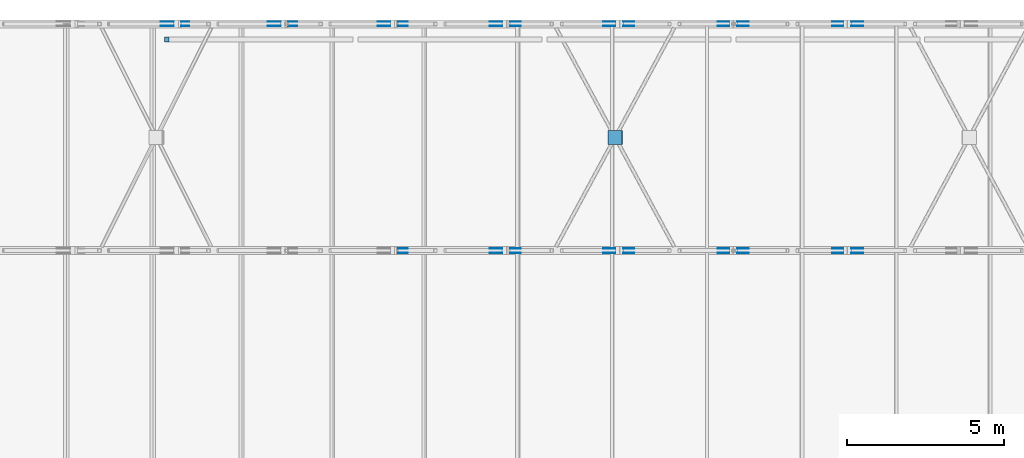
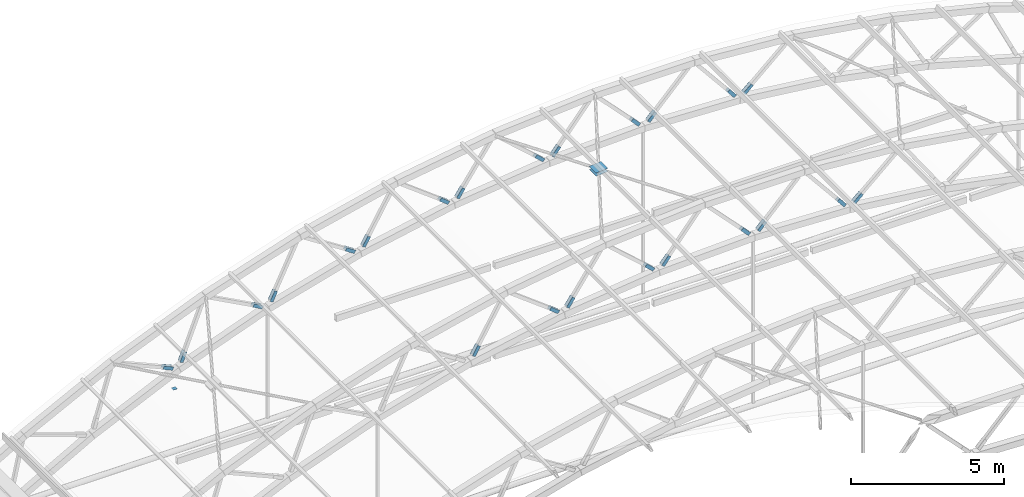
# One storey, part 91 of 127: 49 discrete accessories.
"""IFC4 building model written with IfcOpenShell, lengths in metres."""

from ifc_helpers import new_model, si_unit, direction, frame, origin, origin_2d, place, context, subcontext, project, spatial, rectangle, extrude, material, material_profile, profile_set, type_object, element, save


model = new_model("IFC4")

# Units and contexts
model_context = context("Model", 3, precision=1e-05, world=origin(), true_north=direction((0.0, 1.0)))
body_context = subcontext(model_context, "Body", "Model", "MODEL_VIEW")
ifc_project = project(units=[si_unit("LENGTHUNIT", "METRE"), si_unit("AREAUNIT", "SQUARE_METRE"), si_unit("VOLUMEUNIT", "CUBIC_METRE"), si_unit("PLANEANGLEUNIT", "RADIAN"), si_unit("MASSUNIT", "GRAM", prefix="KILO")], contexts=[model_context])

# Site, building, storey
site_placement = place(None, origin())
site = spatial("IfcSite", under=ifc_project, at=site_placement, CompositionType="ELEMENT")
building_placement = place(site_placement, origin())
building = spatial("IfcBuilding", under=site, at=building_placement, Name="Verrick Yard Athletic Hall", CompositionType="ELEMENT")
storey_placement = place(building_placement, frame((0.0, 0.0, 14.0)))
storey = spatial("IfcBuildingStorey", under=building, at=storey_placement, Name="L03", CompositionType="ELEMENT", Elevation=14.0)

# Discrete accessories
ifc_material = material(Name="Structural steel 350W (CSA G40.21)", Category="steel")
ifc_material_profile_1 = material_profile(ifc_material, rectangle(XDim=0.39990234375, YDim=0.126953125, at=origin_2d()), Name="Brace end cheek plate")
ifc_profile_set_1 = profile_set([ifc_material_profile_1], Name="Structural steel 350W (CSA G40.21)")
discrete_accessory_type_1 = type_object("IfcDiscreteAccessoryType", Name="Brace end cheek plate 400x127x12", PredefinedType="BRACKET", material=ifc_profile_set_1)
for number, where, z_axis, x_axis, name in (
    (1, (41.505126953125, 100.863525390625, 5.877685546875), (0.0, 1.0, 0.0), (0.504596608522, 0.0, 0.863355235502), "Truss web end plate TB5-9 1"),
    (2, (41.505126953125, 100.736572265625, 5.877685546875), (0.0, -1.0, 0.0), (0.504596608522, 0.0, 0.863355235502), "Truss web end plate TB5-9 2"),
    (3, (44.458251953125, 100.736572265625, 6.464111328125), (0.0, -1.0, 0.0), (-0.796193473644, 0.0, 0.605042108061), "Truss web end plate TB5-10 1"),
    (4, (44.458251953125, 100.863525390625, 6.464111328125), (0.0, 1.0, 0.0), (-0.796193473644, 0.0, 0.605042108061), "Truss web end plate TB5-10 2"),
    (5, (45.07177734375, 100.863525390625, 6.56103515625), (0.0, 1.0, 0.0), (0.570674326681, 0.0, 0.821176480951), "Truss web end plate TB5-11 1"),
    (6, (45.07177734375, 100.736572265625, 6.56103515625), (0.0, -1.0, 0.0), (0.570674326681, 0.0, 0.821176480951), "Truss web end plate TB5-11 2"),
    (7, (48.061767578125, 100.736572265625, 6.91455078125), (0.0, -1.0, 0.0), (-0.746352356768, 0.0, 0.665551019492), "Truss web end plate TB5-12 1"),
    (8, (48.061767578125, 100.863525390625, 6.91455078125), (0.0, 1.0, 0.0), (-0.746352356768, 0.0, 0.665551019492), "Truss web end plate TB5-12 2"),
    (9, (48.680908203125, 100.863525390625, 6.963134765625), (0.0, 1.0, 0.0), (0.633245761862, 0.0, 0.773950776913), "Truss web end plate TB5-13 1"),
    (10, (48.680908203125, 100.736572265625, 6.963134765625), (0.0, -1.0, 0.0), (0.633245761862, 0.0, 0.773950776913), "Truss web end plate TB5-13 2"),
    (11, (51.689453125, 100.736572265625, 7.0810546875), (0.0, -1.0, 0.0), (-0.691925275628, 0.0, 0.721969121879), "Truss web end plate TB5-14 1"),
    (12, (51.689453125, 100.863525390625, 7.0810546875), (0.0, 1.0, 0.0), (-0.691925275628, 0.0, 0.721969121879), "Truss web end plate TB5-14 2"),
    (13, (52.310546875, 100.863525390625, 7.0810546875), (0.0, 1.0, 0.0), (0.691925275628, 0.0, 0.721969121879), "Truss web end plate TB5-15 1"),
    (14, (52.310546875, 100.736572265625, 7.0810546875), (0.0, -1.0, 0.0), (0.691925275628, 0.0, 0.721969121879), "Truss web end plate TB5-15 2"),
    (15, (55.319091796875, 100.736572265625, 6.963134765625), (0.0, -1.0, 0.0), (-0.633245761862, 0.0, 0.773950776913), "Truss web end plate TB5-16 1"),
    (16, (55.319091796875, 100.863525390625, 6.963134765625), (0.0, 1.0, 0.0), (-0.633245761862, 0.0, 0.773950776913), "Truss web end plate TB5-16 2"),
    (17, (55.938232421875, 100.863525390625, 6.91455078125), (0.0, 1.0, 0.0), (0.746352356768, 0.0, 0.665551019492), "Truss web end plate TB5-17 1"),
    (18, (55.938232421875, 100.736572265625, 6.91455078125), (0.0, -1.0, 0.0), (0.746352356768, 0.0, 0.665551019492), "Truss web end plate TB5-17 2"),
    (19, (34.012939453125, 107.9365234375, 3.447509765625), (0.0, -1.0, 0.0), (-0.915285173692, 0.0, 0.402806468194), "Truss web end plate TB6-4 1"),
    (20, (34.012939453125, 108.0634765625, 3.447509765625), (0.0, 1.0, 0.0), (-0.915285173692, 0.0, 0.402806468194), "Truss web end plate TB6-4 2"),
    (21, (34.586669921875, 108.0634765625, 3.684814453125), (0.0, 1.0, 0.0), (0.363562561074, 0.0, 0.931569784925), "Truss web end plate TB6-5 1"),
    (22, (34.586669921875, 107.9365234375, 3.684814453125), (0.0, -1.0, 0.0), (0.363562561074, 0.0, 0.931569784925), "Truss web end plate TB6-5 2"),
    (23, (37.412109375, 107.9365234375, 4.725341796875), (0.0, -1.0, 0.0), (-0.880919955637, 0.0, 0.473265286876), "Truss web end plate TB6-6 1"),
    (24, (37.412109375, 108.0634765625, 4.725341796875), (0.0, 1.0, 0.0), (-0.880919955637, 0.0, 0.473265286876), "Truss web end plate TB6-6 2"),
    (25, (38.0029296875, 108.0634765625, 4.9169921875), (0.0, 1.0, 0.0), (0.435417263932, 0.0, 0.90022875219), "Truss web end plate TB6-7 1"),
    (26, (38.0029296875, 107.9365234375, 4.9169921875), (0.0, -1.0, 0.0), (0.435417263932, 0.0, 0.90022875219), "Truss web end plate TB6-7 2"),
    (27, (40.901123046875, 107.9365234375, 5.73291015625), (0.0, -1.0, 0.0), (-0.841141186405, 0.0, 0.540815591984), "Truss web end plate TB6-8 1"),
    (28, (40.901123046875, 108.0634765625, 5.73291015625), (0.0, 1.0, 0.0), (-0.841141186405, 0.0, 0.540815591984), "Truss web end plate TB6-8 2"),
    (29, (41.505126953125, 108.0634765625, 5.877685546875), (0.0, 1.0, 0.0), (0.504596608522, 0.0, 0.863355235502), "Truss web end plate TB6-9 1"),
    (30, (41.505126953125, 107.9365234375, 5.877685546875), (0.0, -1.0, 0.0), (0.504596608522, 0.0, 0.863355235502), "Truss web end plate TB6-9 2"),
    (31, (44.458251953125, 107.9365234375, 6.464111328125), (0.0, -1.0, 0.0), (-0.796193473644, 0.0, 0.605042108061), "Truss web end plate TB6-10 1"),
    (32, (44.458251953125, 108.0634765625, 6.464111328125), (0.0, 1.0, 0.0), (-0.796193473644, 0.0, 0.605042108061), "Truss web end plate TB6-10 2"),
    (33, (45.07177734375, 108.0634765625, 6.56103515625), (0.0, 1.0, 0.0), (0.570674326681, 0.0, 0.821176480951), "Truss web end plate TB6-11 1"),
    (34, (45.07177734375, 107.9365234375, 6.56103515625), (0.0, -1.0, 0.0), (0.570674326681, 0.0, 0.821176480951), "Truss web end plate TB6-11 2"),
    (35, (48.061767578125, 107.9365234375, 6.91455078125), (0.0, -1.0, 0.0), (-0.746352356768, 0.0, 0.665551019492), "Truss web end plate TB6-12 1"),
    (36, (48.061767578125, 108.0634765625, 6.91455078125), (0.0, 1.0, 0.0), (-0.746352356768, 0.0, 0.665551019492), "Truss web end plate TB6-12 2"),
    (37, (48.680908203125, 108.0634765625, 6.963134765625), (0.0, 1.0, 0.0), (0.633245761862, 0.0, 0.773950776913), "Truss web end plate TB6-13 1"),
    (38, (48.680908203125, 107.9365234375, 6.963134765625), (0.0, -1.0, 0.0), (0.633245761862, 0.0, 0.773950776913), "Truss web end plate TB6-13 2"),
    (39, (51.689453125, 107.9365234375, 7.0810546875), (0.0, -1.0, 0.0), (-0.691925275628, 0.0, 0.721969121879), "Truss web end plate TB6-14 1"),
    (40, (51.689453125, 108.0634765625, 7.0810546875), (0.0, 1.0, 0.0), (-0.691925275628, 0.0, 0.721969121879), "Truss web end plate TB6-14 2"),
    (41, (52.310546875, 108.0634765625, 7.0810546875), (0.0, 1.0, 0.0), (0.691925275628, 0.0, 0.721969121879), "Truss web end plate TB6-15 1"),
    (42, (52.310546875, 107.9365234375, 7.0810546875), (0.0, -1.0, 0.0), (0.691925275628, 0.0, 0.721969121879), "Truss web end plate TB6-15 2"),
    (43, (55.319091796875, 107.9365234375, 6.963134765625), (0.0, -1.0, 0.0), (-0.633245761862, 0.0, 0.773950776913), "Truss web end plate TB6-16 1"),
    (44, (55.319091796875, 108.0634765625, 6.963134765625), (0.0, 1.0, 0.0), (-0.633245761862, 0.0, 0.773950776913), "Truss web end plate TB6-16 2"),
    (45, (55.938232421875, 108.0634765625, 6.91455078125), (0.0, 1.0, 0.0), (0.746352356768, 0.0, 0.665551019492), "Truss web end plate TB6-17 1"),
    (46, (55.938232421875, 107.9365234375, 6.91455078125), (0.0, -1.0, 0.0), (0.746352356768, 0.0, 0.665551019492), "Truss web end plate TB6-17 2"),
):
    element("IfcDiscreteAccessory", number, at=place(storey_placement, frame(where, z_axis=z_axis, x_axis=x_axis)), inside=storey, type_object=discrete_accessory_type_1, Name=name, PredefinedType="BRACKET", context=body_context, shape_type="SweptSolid", body=[
        extrude(rectangle(XDim=0.39990234375, YDim=0.126953125, at=origin_2d()), origin(), (0.0, 0.0, 1.0), 0.011962890625),
    ])
ifc_material_profile_2 = material_profile(ifc_material, rectangle(XDim=0.449951171875, YDim=0.449951171875, at=origin_2d()), Name="Brace node plate")
ifc_profile_set_2 = profile_set([ifc_material_profile_2], Name="Structural steel 350W (CSA G40.21)")
discrete_accessory_type_2 = type_object("IfcDiscreteAccessoryType", Name="Brace node plate 450x450x12", PredefinedType="BRACKET", material=ifc_profile_set_2)
for number, where, z_axis, x_axis, name in (
    (47, (48.247314453125, 104.39990234375, 8.515869140625), (0.081362009455, 0.0, -0.996684615823), (0.0, 1.0, 0.0), "Brace node plate B5-5 1"),
    (48, (48.238525390625, 104.39990234375, 8.6298828125), (-0.081362009455, 0.0, 0.996684615823), (0.0, -1.0, 0.0), "Brace node plate B5-5 2"),
):
    element("IfcDiscreteAccessory", number, at=place(storey_placement, frame(where, z_axis=z_axis, x_axis=x_axis)), inside=storey, type_object=discrete_accessory_type_2, Name=name, PredefinedType="BRACKET", context=body_context, shape_type="SweptSolid", body=[
        extrude(rectangle(XDim=0.449951171875, YDim=0.449951171875, at=origin_2d()), origin(), (0.0, 0.0, 1.0), 0.011962890625),
    ])
ifc_material_profile_3 = material_profile(ifc_material, rectangle(XDim=0.15234375, YDim=0.15234375, at=origin_2d()), Name="STR End cap plate 152x152x9.5")
ifc_profile_set_3 = profile_set([ifc_material_profile_3], Name="Structural steel 350W (CSA G40.21)")
discrete_accessory_type_3 = type_object("IfcDiscreteAccessoryType", Name="STR End cap plate 152x152x9.5", PredefinedType="BRACKET", material=ifc_profile_set_3)
discrete_accessory_placement = place(storey_placement, frame((34.0, 107.50537109375, 2.89697265625), z_axis=(0.0, 0.0, 1.0), x_axis=(1.0, 0.0, 0.0)))
element("IfcDiscreteAccessory", 49, at=discrete_accessory_placement, inside=storey, type_object=discrete_accessory_type_3, Name="End cap HB-GP-BN-1 B", PredefinedType="BRACKET", context=body_context, shape_type="SweptSolid", body=[
    extrude(rectangle(XDim=0.15234375, YDim=0.15234375, at=origin_2d()), origin(), (0.0, 0.0, 1.0), 0.010009765625),
])

save(model, "model.ifc")
